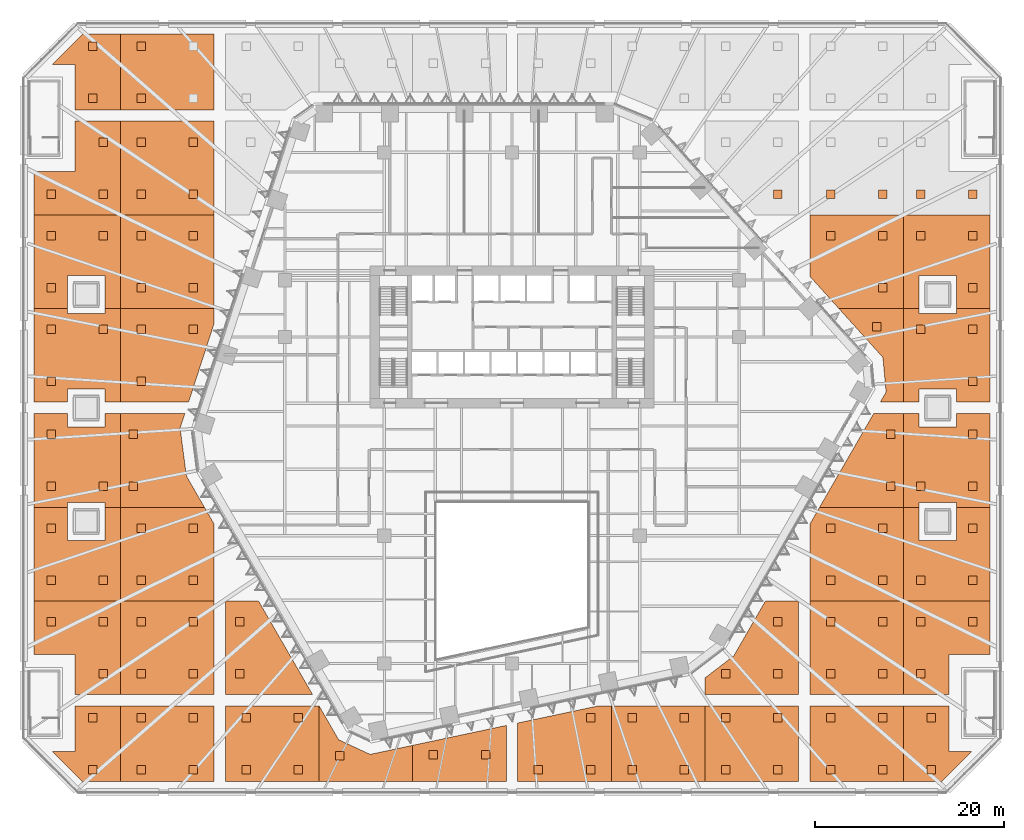
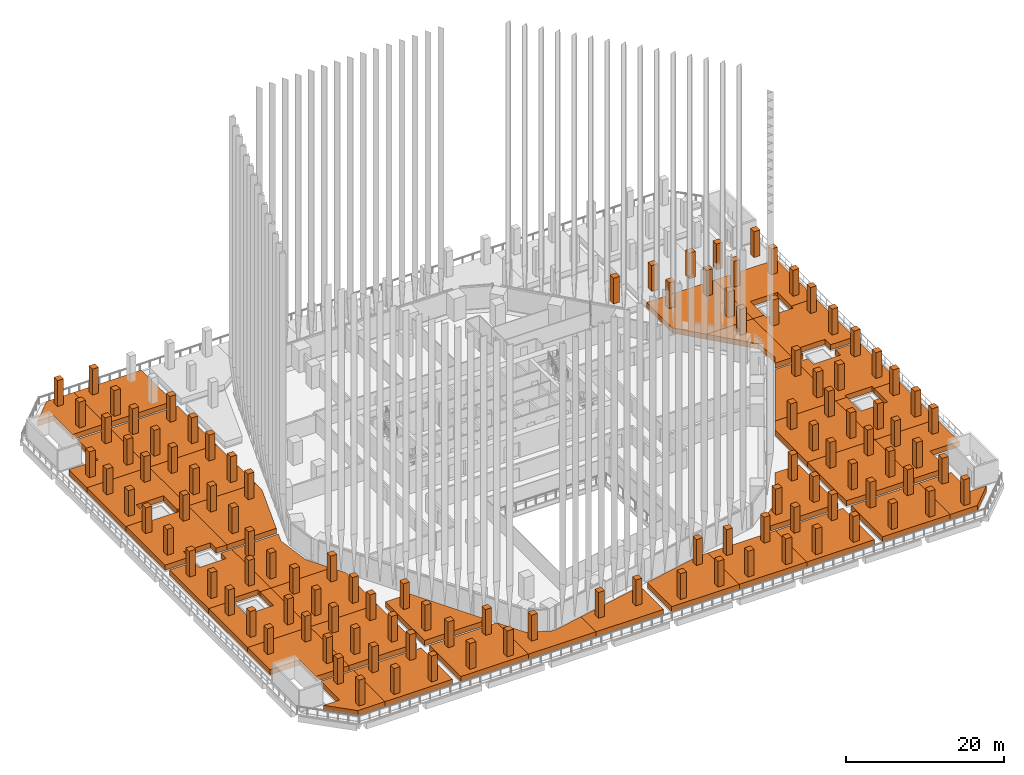
# One storey, part 50 of 51: 112 geographic elements, 36 proxies.
"""IFC4 building model written with IfcOpenShell, lengths in metres."""

from ifc_helpers import new_model, si_unit, direction, frame, origin, origin_2d, place, context, subcontext, project, spatial, polyline, rectangle, outline, extrude, material, type_object, element, save


model = new_model("IFC4")

# Units and contexts
model_context = context("Model", 3, precision=1e-05, world=origin(), true_north=direction((0.0, 1.0)))
body_context = subcontext(model_context, "Body", "Model", "MODEL_VIEW")
ifc_project = project(units=[si_unit("LENGTHUNIT", "METRE"), si_unit("AREAUNIT", "SQUARE_METRE"), si_unit("VOLUMEUNIT", "CUBIC_METRE"), si_unit("PLANEANGLEUNIT", "RADIAN"), si_unit("MASSUNIT", "GRAM", prefix="KILO")], contexts=[model_context])

# Site, building, storey
site_placement = place(None, origin())
site = spatial("IfcSite", under=ifc_project, at=site_placement, CompositionType="ELEMENT")
building_placement = place(site_placement, origin())
building = spatial("IfcBuilding", under=site, at=building_placement, Name="Isthmus Gate Tower", CompositionType="ELEMENT")
storey_placement = place(building_placement, frame((0.0, 0.0, 36.0)))
storey = spatial("IfcBuildingStorey", under=building, at=storey_placement, Name="L06", CompositionType="ELEMENT", Elevation=36.0)

# Geographic elements
ifc_material_1 = material(Name="Plant material, broadleaf tree")
geographic_element_type = type_object("IfcGeographicElementType", Name="BROADLEAF TREE 4000 HIGH", PredefinedType="USERDEFINED", material=ifc_material_1)
for number, where, z_axis, x_axis, name in (
    (1, (-48.699951171875, -18.199951171875, 1.050048828125), (0.0, 0.0, 1.0), (1.0, 0.0, 0.0), "TREE"),
    (2, (-48.699951171875, -12.699951171875, 1.050048828125), (0.0, 0.0, 1.0), (1.0, 0.0, 0.0), "TREE"),
    (3, (-43.199951171875, -18.199951171875, 1.050048828125), (0.0, 0.0, 1.0), (1.0, 0.0, 0.0), "TREE"),
    (4, (-48.699951171875, 12.699951171875, 1.050048828125), (0.0, 0.0, 1.0), (1.0, 0.0, 0.0), "TREE"),
    (5, (-48.699951171875, 18.199951171875, 1.050048828125), (0.0, 0.0, 1.0), (1.0, 0.0, 0.0), "TREE"),
    (6, (-43.199951171875, 18.199951171875, 1.050048828125), (0.0, 0.0, 1.0), (1.0, 0.0, 0.0), "TREE"),
    (7, (-48.699951171875, -8.300048828125, 1.050048828125), (0.0, 0.0, 1.0), (1.0, 0.0, 0.0), "TREE"),
    (8, (-48.699951171875, -2.800048828125, 1.050048828125), (0.0, 0.0, 1.0), (1.0, 0.0, 0.0), "TREE"),
    (9, (-43.199951171875, -8.300048828125, 1.050048828125), (0.0, 0.0, 1.0), (1.0, 0.0, 0.0), "TREE"),
    (10, (-48.699951171875, 2.800048828125, 1.050048828125), (0.0, 0.0, 1.0), (1.0, 0.0, 0.0), "TREE"),
    (11, (-48.699951171875, 8.300048828125, 1.050048828125), (0.0, 0.0, 1.0), (1.0, 0.0, 0.0), "TREE"),
    (12, (-43.199951171875, 8.300048828125, 1.050048828125), (0.0, 0.0, 1.0), (1.0, 0.0, 0.0), "TREE"),
    (13, (-48.699951171875, -22.60009765625, 1.050048828125), (0.0, 0.0, 1.0), (1.0, 0.0, 0.0), "TREE"),
    (14, (-43.199951171875, -28.10009765625, 1.050048828125), (0.0, 0.0, 1.0), (1.0, 0.0, 0.0), "TREE"),
    (15, (-43.199951171875, -22.60009765625, 1.050048828125), (0.0, 0.0, 1.0), (1.0, 0.0, 0.0), "TREE"),
    (16, (-48.699951171875, 22.60009765625, 1.050048828125), (0.0, 0.0, 1.0), (1.0, 0.0, 0.0), "TREE"),
    (17, (-43.199951171875, 22.60009765625, 1.050048828125), (0.0, 0.0, 1.0), (1.0, 0.0, 0.0), "TREE"),
    (18, (-43.199951171875, 28.10009765625, 1.050048828125), (0.0, 0.0, 1.0), (1.0, 0.0, 0.0), "TREE"),
    (19, (-44.317626953125, -38.25, 1.050048828125), (0.0, 0.0, 1.0), (1.0, 0.0, 0.0), "TREE"),
    (20, (-44.317626953125, -32.75, 1.050048828125), (0.0, 0.0, 1.0), (1.0, 0.0, 0.0), "TREE"),
    (21, (-44.317626953125, 32.75, 1.050048828125), (0.0, 0.0, 1.0), (1.0, 0.0, 0.0), "TREE"),
    (22, (-44.317626953125, 38.25, 1.050048828125), (0.0, 0.0, 1.0), (1.0, 0.0, 0.0), "TREE"),
    (23, (-40.050048828125, -8.300048828125, 1.050048828125), (0.0, 0.0, 1.0), (1.0, 0.0, 0.0), "TREE"),
    (24, (-40.050048828125, -2.800048828125, 1.050048828125), (0.0, 0.0, 1.0), (1.0, 0.0, 0.0), "TREE"),
    (25, (-39.199951171875, 2.800048828125, 1.050048828125), (0.0, 0.0, 1.0), (1.0, 0.0, 0.0), "TREE"),
    (26, (-39.199951171875, 8.300048828125, 1.050048828125), (0.0, 0.0, 1.0), (1.0, 0.0, 0.0), "TREE"),
    (27, (-33.699951171875, 8.300048828125, 1.050048828125), (0.0, 0.0, 1.0), (1.0, 0.0, 0.0), "TREE"),
    (28, (-39.199951171875, -18.199951171875, 1.050048828125), (0.0, 0.0, 1.0), (1.0, 0.0, 0.0), "TREE"),
    (29, (-39.199951171875, -12.699951171875, 1.050048828125), (0.0, 0.0, 1.0), (1.0, 0.0, 0.0), "TREE"),
    (30, (-33.699951171875, -18.199951171875, 1.050048828125), (0.0, 0.0, 1.0), (1.0, 0.0, 0.0), "TREE"),
    (31, (-33.699951171875, -12.699951171875, 1.050048828125), (0.0, 0.0, 1.0), (1.0, 0.0, 0.0), "TREE"),
    (32, (-39.199951171875, -38.25, 1.050048828125), (0.0, 0.0, 1.0), (1.0, 0.0, 0.0), "TREE"),
    (33, (-39.199951171875, -32.75, 1.050048828125), (0.0, 0.0, 1.0), (1.0, 0.0, 0.0), "TREE"),
    (34, (-33.699951171875, -38.25, 1.050048828125), (0.0, 0.0, 1.0), (1.0, 0.0, 0.0), "TREE"),
    (35, (-33.699951171875, -32.75, 1.050048828125), (0.0, 0.0, 1.0), (1.0, 0.0, 0.0), "TREE"),
    (36, (-39.199951171875, -28.10009765625, 1.050048828125), (0.0, 0.0, 1.0), (1.0, 0.0, 0.0), "TREE"),
    (37, (-39.199951171875, -22.60009765625, 1.050048828125), (0.0, 0.0, 1.0), (1.0, 0.0, 0.0), "TREE"),
    (38, (-33.699951171875, -28.10009765625, 1.050048828125), (0.0, 0.0, 1.0), (1.0, 0.0, 0.0), "TREE"),
    (39, (-33.699951171875, -22.60009765625, 1.050048828125), (0.0, 0.0, 1.0), (1.0, 0.0, 0.0), "TREE"),
    (40, (-39.199951171875, 12.699951171875, 1.050048828125), (0.0, 0.0, 1.0), (1.0, 0.0, 0.0), "TREE"),
    (41, (-39.199951171875, 18.199951171875, 1.050048828125), (0.0, 0.0, 1.0), (1.0, 0.0, 0.0), "TREE"),
    (42, (-33.699951171875, 12.699951171875, 1.050048828125), (0.0, 0.0, 1.0), (1.0, 0.0, 0.0), "TREE"),
    (43, (-33.699951171875, 18.199951171875, 1.050048828125), (0.0, 0.0, 1.0), (1.0, 0.0, 0.0), "TREE"),
    (44, (-39.199951171875, 22.60009765625, 1.050048828125), (0.0, 0.0, 1.0), (1.0, 0.0, 0.0), "TREE"),
    (45, (-39.199951171875, 28.10009765625, 1.050048828125), (0.0, 0.0, 1.0), (1.0, 0.0, 0.0), "TREE"),
    (46, (-33.699951171875, 22.60009765625, 1.050048828125), (0.0, 0.0, 1.0), (1.0, 0.0, 0.0), "TREE"),
    (47, (-33.699951171875, 28.10009765625, 1.050048828125), (0.0, 0.0, 1.0), (1.0, 0.0, 0.0), "TREE"),
    (48, (-39.199951171875, 32.75, 1.050048828125), (0.0, 0.0, 1.0), (1.0, 0.0, 0.0), "TREE"),
    (49, (-39.199951171875, 38.25, 1.050048828125), (0.0, 0.0, 1.0), (1.0, 0.0, 0.0), "TREE"),
    (50, (-28.784423828125, -28.10009765625, 1.050048828125), (0.0, 0.0, 1.0), (1.0, 0.0, 0.0), "TREE"),
    (51, (-28.784423828125, -22.60009765625, 1.050048828125), (0.0, 0.0, 1.0), (1.0, 0.0, 0.0), "TREE"),
    (52, (-28.10009765625, -38.25, 1.050048828125), (0.0, 0.0, 1.0), (1.0, 0.0, 0.0), "TREE"),
    (53, (-28.10009765625, -32.75, 1.050048828125), (0.0, 0.0, 1.0), (1.0, 0.0, 0.0), "TREE"),
    (54, (-22.60009765625, -38.25, 1.050048828125), (0.0, 0.0, 1.0), (1.0, 0.0, 0.0), "TREE"),
    (55, (-22.60009765625, -32.75, 1.050048828125), (0.0, 0.0, 1.0), (1.0, 0.0, 0.0), "TREE"),
    (56, (-18.199951171875, -36.78076171875, 1.050048828125), (0.0, 0.0, 1.0), (1.0, 0.0, 0.0), "TREE"),
    (57, (-8.300048828125, -36.640869140625, 1.050048828125), (0.0, 0.0, 1.0), (1.0, 0.0, 0.0), "TREE"),
    (58, (-2.800048828125, -36.640869140625, 1.050048828125), (0.0, 0.0, 1.0), (1.0, 0.0, 0.0), "TREE"),
    (59, (2.800048828125, -38.25, 1.050048828125), (0.0, 0.0, 1.0), (1.0, 0.0, 0.0), "TREE"),
    (60, (8.300048828125, -38.25, 1.050048828125), (0.0, 0.0, 1.0), (1.0, 0.0, 0.0), "TREE"),
    (61, (8.300048828125, -32.75, 1.050048828125), (0.0, 0.0, 1.0), (1.0, 0.0, 0.0), "TREE"),
    (62, (12.699951171875, -38.25, 1.050048828125), (0.0, 0.0, 1.0), (1.0, 0.0, 0.0), "TREE"),
    (63, (12.699951171875, -32.75, 1.050048828125), (0.0, 0.0, 1.0), (1.0, 0.0, 0.0), "TREE"),
    (64, (18.199951171875, -38.25, 1.050048828125), (0.0, 0.0, 1.0), (1.0, 0.0, 0.0), "TREE"),
    (65, (18.199951171875, -32.75, 1.050048828125), (0.0, 0.0, 1.0), (1.0, 0.0, 0.0), "TREE"),
    (66, (22.60009765625, -38.25, 1.050048828125), (0.0, 0.0, 1.0), (1.0, 0.0, 0.0), "TREE"),
    (67, (22.60009765625, -32.75, 1.050048828125), (0.0, 0.0, 1.0), (1.0, 0.0, 0.0), "TREE"),
    (68, (28.10009765625, -38.25, 1.050048828125), (0.0, 0.0, 1.0), (1.0, 0.0, 0.0), "TREE"),
    (69, (28.10009765625, -32.75, 1.050048828125), (0.0, 0.0, 1.0), (1.0, 0.0, 0.0), "TREE"),
    (70, (28.10009765625, 22.60009765625, 1.050048828125), (0.0, 0.0, 1.0), (1.0, 0.0, 0.0), "TREE"),
    (71, (22.60009765625, -28.10009765625, 1.050048828125), (0.0, 0.0, 1.0), (1.0, 0.0, 0.0), "TREE"),
    (72, (28.10009765625, -28.10009765625, 1.050048828125), (0.0, 0.0, 1.0), (1.0, 0.0, 0.0), "TREE"),
    (73, (28.10009765625, -22.60009765625, 1.050048828125), (0.0, 0.0, 1.0), (1.0, 0.0, 0.0), "TREE"),
    (74, (33.699951171875, -38.25, 1.050048828125), (0.0, 0.0, 1.0), (1.0, 0.0, 0.0), "TREE"),
    (75, (33.699951171875, -32.75, 1.050048828125), (0.0, 0.0, 1.0), (1.0, 0.0, 0.0), "TREE"),
    (76, (39.199951171875, -38.25, 1.050048828125), (0.0, 0.0, 1.0), (1.0, 0.0, 0.0), "TREE"),
    (77, (39.199951171875, -32.75, 1.050048828125), (0.0, 0.0, 1.0), (1.0, 0.0, 0.0), "TREE"),
    (78, (33.699951171875, -28.10009765625, 1.050048828125), (0.0, 0.0, 1.0), (1.0, 0.0, 0.0), "TREE"),
    (79, (33.699951171875, -22.60009765625, 1.050048828125), (0.0, 0.0, 1.0), (1.0, 0.0, 0.0), "TREE"),
    (80, (39.199951171875, -28.10009765625, 1.050048828125), (0.0, 0.0, 1.0), (1.0, 0.0, 0.0), "TREE"),
    (81, (39.199951171875, -22.60009765625, 1.050048828125), (0.0, 0.0, 1.0), (1.0, 0.0, 0.0), "TREE"),
    (82, (33.699951171875, 22.60009765625, 1.050048828125), (0.0, 0.0, 1.0), (1.0, 0.0, 0.0), "TREE"),
    (83, (39.199951171875, 22.60009765625, 1.050048828125), (0.0, 0.0, 1.0), (1.0, 0.0, 0.0), "TREE"),
    (84, (33.699951171875, -18.199951171875, 1.050048828125), (0.0, 0.0, 1.0), (1.0, 0.0, 0.0), "TREE"),
    (85, (33.699951171875, -12.699951171875, 1.050048828125), (0.0, 0.0, 1.0), (1.0, 0.0, 0.0), "TREE"),
    (86, (39.199951171875, -18.199951171875, 1.050048828125), (0.0, 0.0, 1.0), (1.0, 0.0, 0.0), "TREE"),
    (87, (39.199951171875, -12.699951171875, 1.050048828125), (0.0, 0.0, 1.0), (1.0, 0.0, 0.0), "TREE"),
    (88, (33.699951171875, 18.199951171875, 1.050048828125), (0.0, 0.0, 1.0), (1.0, 0.0, 0.0), "TREE"),
    (89, (39.199951171875, 12.699951171875, 1.050048828125), (0.0, 0.0, 1.0), (1.0, 0.0, 0.0), "TREE"),
    (90, (39.199951171875, 18.199951171875, 1.050048828125), (0.0, 0.0, 1.0), (1.0, 0.0, 0.0), "TREE"),
    (91, (40.050048828125, -8.300048828125, 1.050048828125), (0.0, 0.0, 1.0), (1.0, 0.0, 0.0), "TREE"),
    (92, (40.050048828125, -2.800048828125, 1.050048828125), (0.0, 0.0, 1.0), (1.0, 0.0, 0.0), "TREE"),
    (93, (38.56640625, 8.5791015625, 1.050048828125), (0.0, 0.0, 1.0), (1.0, 0.0, 0.0), "TREE"),
    (94, (44.317626953125, -38.25, 1.050048828125), (0.0, 0.0, 1.0), (1.0, 0.0, 0.0), "TREE"),
    (95, (44.317626953125, -32.75, 1.050048828125), (0.0, 0.0, 1.0), (1.0, 0.0, 0.0), "TREE"),
    (96, (43.199951171875, 22.60009765625, 1.050048828125), (0.0, 0.0, 1.0), (1.0, 0.0, 0.0), "TREE"),
    (97, (48.699951171875, 22.60009765625, 1.050048828125), (0.0, 0.0, 1.0), (1.0, 0.0, 0.0), "TREE"),
    (98, (43.199951171875, -28.10009765625, 1.050048828125), (0.0, 0.0, 1.0), (1.0, 0.0, 0.0), "TREE"),
    (99, (43.199951171875, -22.60009765625, 1.050048828125), (0.0, 0.0, 1.0), (1.0, 0.0, 0.0), "TREE"),
    (100, (48.699951171875, -22.60009765625, 1.050048828125), (0.0, 0.0, 1.0), (1.0, 0.0, 0.0), "TREE"),
    (101, (43.199951171875, -8.300048828125, 1.050048828125), (0.0, 0.0, 1.0), (1.0, 0.0, 0.0), "TREE"),
    (102, (48.699951171875, -8.300048828125, 1.050048828125), (0.0, 0.0, 1.0), (1.0, 0.0, 0.0), "TREE"),
    (103, (48.699951171875, -2.800048828125, 1.050048828125), (0.0, 0.0, 1.0), (1.0, 0.0, 0.0), "TREE"),
    (104, (43.199951171875, 8.300048828125, 1.050048828125), (0.0, 0.0, 1.0), (1.0, 0.0, 0.0), "TREE"),
    (105, (48.699951171875, 2.800048828125, 1.050048828125), (0.0, 0.0, 1.0), (1.0, 0.0, 0.0), "TREE"),
    (106, (48.699951171875, 8.300048828125, 1.050048828125), (0.0, 0.0, 1.0), (1.0, 0.0, 0.0), "TREE"),
    (107, (43.199951171875, -18.199951171875, 1.050048828125), (0.0, 0.0, 1.0), (1.0, 0.0, 0.0), "TREE"),
    (108, (48.699951171875, -18.199951171875, 1.050048828125), (0.0, 0.0, 1.0), (1.0, 0.0, 0.0), "TREE"),
    (109, (48.699951171875, -12.699951171875, 1.050048828125), (0.0, 0.0, 1.0), (1.0, 0.0, 0.0), "TREE"),
    (110, (43.199951171875, 18.199951171875, 1.050048828125), (0.0, 0.0, 1.0), (1.0, 0.0, 0.0), "TREE"),
    (111, (48.699951171875, 12.699951171875, 1.050048828125), (0.0, 0.0, 1.0), (1.0, 0.0, 0.0), "TREE"),
    (112, (48.699951171875, 18.199951171875, 1.050048828125), (0.0, 0.0, 1.0), (1.0, 0.0, 0.0), "TREE"),
):
    element("IfcGeographicElement", number, at=place(storey_placement, frame(where, z_axis=z_axis, x_axis=x_axis)), inside=storey, type_object=geographic_element_type, Name=name, ObjectType="TREE", PredefinedType="USERDEFINED", context=body_context, shape_type="SweptSolid", body=[
        extrude(rectangle(XDim=0.89990234375, YDim=0.89990234375, at=origin_2d()), origin(), (0.0, 0.0, 1.0), 4.0),
    ])

# Proxies
ifc_material_2 = material(Name="Concrete f'c 40 MPa", Category="concrete")
building_element_proxy_type = type_object("IfcBuildingElementProxyType", Name="STRUCTURAL CONCRETE PLANTER 800 DEEP", PredefinedType="USERDEFINED", material=ifc_material_2)
proxy_1_placement = place(storey_placement, frame((0.0, 0.0, 0.25)))
element("IfcBuildingElementProxy", 113, at=proxy_1_placement, inside=storey, type_object=building_element_proxy_type, Name="PLANTER", ObjectType="PLANTER", PredefinedType="USERDEFINED", context=body_context, shape_type="SweptSolid", body=[
    extrude(outline(polyline([(-41.39990234375, -10.5), (-43.0, -10.5), (-43.0, -14.0), (-47.0, -14.0), (-47.0, -10.5), (-50.5, -10.5), (-50.5, -20.39990234375), (-41.39990234375, -20.39990234375), (-41.39990234375, -10.5)])), origin(), (0.0, 0.0, 1.0), 0.800048828125),
])
proxy_2_placement = place(storey_placement, frame((0.0, 0.0, 0.25)))
element("IfcBuildingElementProxy", 114, at=proxy_2_placement, inside=storey, type_object=building_element_proxy_type, Name="PLANTER", ObjectType="PLANTER", PredefinedType="USERDEFINED", context=body_context, shape_type="SweptSolid", body=[
    extrude(outline(polyline([(-41.39990234375, 20.39990234375), (-50.5, 20.39990234375), (-50.5, 10.5), (-47.0, 10.5), (-47.0, 14.0), (-43.0, 14.0), (-43.0, 10.5), (-41.39990234375, 10.5), (-41.39990234375, 20.39990234375)])), origin(), (0.0, 0.0, 1.0), 0.800048828125),
])
proxy_3_placement = place(storey_placement, frame((0.0, 0.0, 0.25)))
element("IfcBuildingElementProxy", 115, at=proxy_3_placement, inside=storey, type_object=building_element_proxy_type, Name="PLANTER", ObjectType="PLANTER", PredefinedType="USERDEFINED", context=body_context, shape_type="SweptSolid", body=[
    extrude(outline(polyline([(-41.39990234375, -0.60009765625), (-43.0, -0.60009765625), (-43.0, -2.0), (-47.0, -2.0), (-47.0, -0.60009765625), (-50.5, -0.60009765625), (-50.5, -10.5), (-47.0, -10.5), (-47.0, -10.0), (-43.0, -10.0), (-43.0, -10.5), (-41.39990234375, -10.5), (-41.39990234375, -0.60009765625)])), origin(), (0.0, 0.0, 1.0), 0.800048828125),
])
proxy_4_placement = place(storey_placement, frame((0.0, 0.0, 0.25)))
element("IfcBuildingElementProxy", 116, at=proxy_4_placement, inside=storey, type_object=building_element_proxy_type, Name="PLANTER", ObjectType="PLANTER", PredefinedType="USERDEFINED", context=body_context, shape_type="SweptSolid", body=[
    extrude(outline(polyline([(-41.39990234375, 10.5), (-43.0, 10.5), (-43.0, 10.0), (-47.0, 10.0), (-47.0, 10.5), (-50.5, 10.5), (-50.5, 0.60009765625), (-47.0, 0.60009765625), (-47.0, 2.0), (-43.0, 2.0), (-43.0, 0.60009765625), (-41.39990234375, 0.60009765625), (-41.39990234375, 10.5)])), origin(), (0.0, 0.0, 1.0), 0.800048828125),
])
proxy_5_placement = place(storey_placement, frame((0.0, 0.0, 0.25)))
element("IfcBuildingElementProxy", 117, at=proxy_5_placement, inside=storey, type_object=building_element_proxy_type, Name="PLANTER", ObjectType="PLANTER", PredefinedType="USERDEFINED", context=body_context, shape_type="SweptSolid", body=[
    extrude(outline(polyline([(-41.39990234375, -20.39990234375), (-50.5, -20.39990234375), (-50.5, -26.078857421875), (-46.175048828125, -26.078857421875), (-46.175048828125, -30.300048828125), (-41.39990234375, -30.300048828125), (-41.39990234375, -20.39990234375)])), origin(), (0.0, 0.0, 1.0), 0.800048828125),
])
proxy_6_placement = place(storey_placement, frame((0.0, 0.0, 0.25)))
element("IfcBuildingElementProxy", 118, at=proxy_6_placement, inside=storey, type_object=building_element_proxy_type, Name="PLANTER", ObjectType="PLANTER", PredefinedType="USERDEFINED", context=body_context, shape_type="SweptSolid", body=[
    extrude(outline(polyline([(-41.39990234375, 30.300048828125), (-46.175048828125, 30.300048828125), (-46.175048828125, 25.0), (-50.5, 25.0), (-50.5, 20.39990234375), (-41.39990234375, 20.39990234375), (-41.39990234375, 30.300048828125)])), origin(), (0.0, 0.0, 1.0), 0.800048828125),
])
proxy_7_placement = place(storey_placement, frame((0.0, 0.0, 0.25)))
element("IfcBuildingElementProxy", 119, at=proxy_7_placement, inside=storey, type_object=building_element_proxy_type, Name="PLANTER", ObjectType="PLANTER", PredefinedType="USERDEFINED", context=body_context, shape_type="SweptSolid", body=[
    extrude(outline(polyline([(-41.39990234375, -31.5), (-46.175048828125, -31.5), (-46.175048828125, -36.300048828125), (-48.57861328125, -36.300048828125), (-45.378662109375, -39.5), (-41.39990234375, -39.5), (-41.39990234375, -31.5)])), origin(), (0.0, 0.0, 1.0), 0.800048828125),
])
proxy_8_placement = place(storey_placement, frame((0.0, 0.0, 0.25)))
element("IfcBuildingElementProxy", 120, at=proxy_8_placement, inside=storey, type_object=building_element_proxy_type, Name="PLANTER", ObjectType="PLANTER", PredefinedType="USERDEFINED", context=body_context, shape_type="SweptSolid", body=[
    extrude(outline(polyline([(-41.39990234375, 31.5), (-41.39990234375, 39.5), (-45.378662109375, 39.5), (-48.57861328125, 36.300048828125), (-46.175048828125, 36.300048828125), (-46.175048828125, 31.5), (-41.39990234375, 31.5)])), origin(), (0.0, 0.0, 1.0), 0.800048828125),
])
proxy_9_placement = place(storey_placement, frame((0.0, 0.0, 0.25)))
element("IfcBuildingElementProxy", 121, at=proxy_9_placement, inside=storey, type_object=building_element_proxy_type, Name="PLANTER", ObjectType="PLANTER", PredefinedType="USERDEFINED", context=body_context, shape_type="SweptSolid", body=[
    extrude(outline(polyline([(-41.39990234375, -10.5), (-32.5048828125, -10.5), (-34.416015625, -7.18994140625), (-35.0751953125, -2.128662109375), (-34.57861328125, -0.60009765625), (-41.39990234375, -0.60009765625), (-41.39990234375, -10.5)])), origin(), (0.0, 0.0, 1.0), 0.800048828125),
])
proxy_10_placement = place(storey_placement, frame((0.0, 0.0, 0.25)))
element("IfcBuildingElementProxy", 122, at=proxy_10_placement, inside=storey, type_object=building_element_proxy_type, Name="PLANTER", ObjectType="PLANTER", PredefinedType="USERDEFINED", context=body_context, shape_type="SweptSolid", body=[
    extrude(outline(polyline([(-41.39990234375, 0.60009765625), (-34.188720703125, 0.60009765625), (-31.5, 8.874755859375), (-31.5, 10.5), (-41.39990234375, 10.5), (-41.39990234375, 0.60009765625)])), origin(), (0.0, 0.0, 1.0), 0.800048828125),
])
proxy_11_placement = place(storey_placement, frame((0.0, 0.0, 0.25)))
element("IfcBuildingElementProxy", 123, at=proxy_11_placement, inside=storey, type_object=building_element_proxy_type, Name="PLANTER", ObjectType="PLANTER", PredefinedType="USERDEFINED", context=body_context, shape_type="SweptSolid", body=[
    extrude(outline(polyline([(-31.5, -20.39990234375), (-31.5, -12.240478515625), (-32.5048828125, -10.5), (-41.39990234375, -10.5), (-41.39990234375, -20.39990234375), (-31.5, -20.39990234375)])), origin(), (0.0, 0.0, 1.0), 0.800048828125),
])
proxy_12_placement = place(storey_placement, frame((0.0, 0.0, 0.25)))
element("IfcBuildingElementProxy", 124, at=proxy_12_placement, inside=storey, type_object=building_element_proxy_type, Name="PLANTER", ObjectType="PLANTER", PredefinedType="USERDEFINED", context=body_context, shape_type="SweptSolid", body=[
    extrude(outline(polyline([(-41.39990234375, -31.5), (-41.39990234375, -39.5), (-31.5, -39.5), (-31.5, -31.5), (-41.39990234375, -31.5)])), origin(), (0.0, 0.0, 1.0), 0.800048828125),
])
proxy_13_placement = place(storey_placement, frame((0.0, 0.0, 0.25)))
element("IfcBuildingElementProxy", 125, at=proxy_13_placement, inside=storey, type_object=building_element_proxy_type, Name="PLANTER", ObjectType="PLANTER", PredefinedType="USERDEFINED", context=body_context, shape_type="SweptSolid", body=[
    extrude(outline(polyline([(-41.39990234375, -30.300048828125), (-31.5, -30.300048828125), (-31.5, -20.39990234375), (-41.39990234375, -20.39990234375), (-41.39990234375, -30.300048828125)])), origin(), (0.0, 0.0, 1.0), 0.800048828125),
])
proxy_14_placement = place(storey_placement, frame((0.0, 0.0, 0.25)))
element("IfcBuildingElementProxy", 126, at=proxy_14_placement, inside=storey, type_object=building_element_proxy_type, Name="PLANTER", ObjectType="PLANTER", PredefinedType="USERDEFINED", context=body_context, shape_type="SweptSolid", body=[
    extrude(outline(polyline([(-41.39990234375, 10.5), (-31.5, 10.5), (-31.5, 20.39990234375), (-41.39990234375, 20.39990234375), (-41.39990234375, 10.5)])), origin(), (0.0, 0.0, 1.0), 0.800048828125),
])
proxy_15_placement = place(storey_placement, frame((0.0, 0.0, 0.25)))
element("IfcBuildingElementProxy", 127, at=proxy_15_placement, inside=storey, type_object=building_element_proxy_type, Name="PLANTER", ObjectType="PLANTER", PredefinedType="USERDEFINED", context=body_context, shape_type="SweptSolid", body=[
    extrude(outline(polyline([(-41.39990234375, 20.39990234375), (-31.5, 20.39990234375), (-31.5, 30.300048828125), (-41.39990234375, 30.300048828125), (-41.39990234375, 20.39990234375)])), origin(), (0.0, 0.0, 1.0), 0.800048828125),
])
proxy_16_placement = place(storey_placement, frame((0.0, 0.0, 0.25)))
element("IfcBuildingElementProxy", 128, at=proxy_16_placement, inside=storey, type_object=building_element_proxy_type, Name="PLANTER", ObjectType="PLANTER", PredefinedType="USERDEFINED", context=body_context, shape_type="SweptSolid", body=[
    extrude(outline(polyline([(-31.5, 31.5), (-31.5, 39.5), (-41.39990234375, 39.5), (-41.39990234375, 31.5), (-31.5, 31.5)])), origin(), (0.0, 0.0, 1.0), 0.800048828125),
])
proxy_17_placement = place(storey_placement, frame((0.0, 0.0, 0.25)))
element("IfcBuildingElementProxy", 129, at=proxy_17_placement, inside=storey, type_object=building_element_proxy_type, Name="PLANTER", ObjectType="PLANTER", PredefinedType="USERDEFINED", context=body_context, shape_type="SweptSolid", body=[
    extrude(outline(polyline([(-30.300048828125, -30.300048828125), (-21.0732421875, -30.300048828125), (-26.7890625, -20.39990234375), (-30.300048828125, -20.39990234375), (-30.300048828125, -30.300048828125)])), origin(), (0.0, 0.0, 1.0), 0.800048828125),
])
proxy_18_placement = place(storey_placement, frame((0.0, 0.0, 0.25)))
element("IfcBuildingElementProxy", 130, at=proxy_18_placement, inside=storey, type_object=building_element_proxy_type, Name="PLANTER", ObjectType="PLANTER", PredefinedType="USERDEFINED", context=body_context, shape_type="SweptSolid", body=[
    extrude(outline(polyline([(-30.300048828125, -31.5), (-30.300048828125, -39.5), (-20.39990234375, -39.5), (-20.39990234375, -31.5), (-30.300048828125, -31.5)])), origin(), (0.0, 0.0, 1.0), 0.800048828125),
])
proxy_19_placement = place(storey_placement, frame((0.0, 0.0, 0.25)))
element("IfcBuildingElementProxy", 131, at=proxy_19_placement, inside=storey, type_object=building_element_proxy_type, Name="PLANTER", ObjectType="PLANTER", PredefinedType="USERDEFINED", context=body_context, shape_type="SweptSolid", body=[
    extrude(outline(polyline([(-10.5, -39.5), (-10.5, -35.6630859375), (-14.990966796875, -36.61767578125), (-18.315673828125, -35.076416015625), (-20.38037109375, -31.5), (-20.39990234375, -31.5), (-20.39990234375, -39.5), (-10.5, -39.5)])), origin(), (0.0, 0.0, 1.0), 0.800048828125),
])
proxy_20_placement = place(storey_placement, frame((0.0, 0.0, 0.25)))
element("IfcBuildingElementProxy", 132, at=proxy_20_placement, inside=storey, type_object=building_element_proxy_type, Name="PLANTER", ObjectType="PLANTER", PredefinedType="USERDEFINED", context=body_context, shape_type="SweptSolid", body=[
    extrude(outline(polyline([(-0.60009765625, -39.5), (-0.60009765625, -33.558837890625), (-10.5, -35.6630859375), (-10.5, -39.5), (-0.60009765625, -39.5)])), origin(), (0.0, 0.0, 1.0), 0.800048828125),
])
proxy_21_placement = place(storey_placement, frame((0.0, 0.0, 0.25)))
element("IfcBuildingElementProxy", 133, at=proxy_21_placement, inside=storey, type_object=building_element_proxy_type, Name="PLANTER", ObjectType="PLANTER", PredefinedType="USERDEFINED", context=body_context, shape_type="SweptSolid", body=[
    extrude(outline(polyline([(10.5, -31.5), (9.0859375, -31.5), (0.60009765625, -33.3037109375), (0.60009765625, -39.5), (10.5, -39.5), (10.5, -31.5)])), origin(), (0.0, 0.0, 1.0), 0.800048828125),
])
proxy_22_placement = place(storey_placement, frame((0.0, 0.0, 0.25)))
element("IfcBuildingElementProxy", 134, at=proxy_22_placement, inside=storey, type_object=building_element_proxy_type, Name="PLANTER", ObjectType="PLANTER", PredefinedType="USERDEFINED", context=body_context, shape_type="SweptSolid", body=[
    extrude(outline(polyline([(10.5, -31.5), (10.5, -39.5), (20.39990234375, -39.5), (20.39990234375, -31.5), (10.5, -31.5)])), origin(), (0.0, 0.0, 1.0), 0.800048828125),
])
proxy_23_placement = place(storey_placement, frame((0.0, 0.0, 0.25)))
element("IfcBuildingElementProxy", 135, at=proxy_23_placement, inside=storey, type_object=building_element_proxy_type, Name="PLANTER", ObjectType="PLANTER", PredefinedType="USERDEFINED", context=body_context, shape_type="SweptSolid", body=[
    extrude(outline(polyline([(20.39990234375, -31.5), (20.39990234375, -39.5), (30.300048828125, -39.5), (30.300048828125, -31.5), (20.39990234375, -31.5)])), origin(), (0.0, 0.0, 1.0), 0.800048828125),
])
proxy_24_placement = place(storey_placement, frame((0.0, 0.0, 0.25)))
element("IfcBuildingElementProxy", 136, at=proxy_24_placement, inside=storey, type_object=building_element_proxy_type, Name="PLANTER", ObjectType="PLANTER", PredefinedType="USERDEFINED", context=body_context, shape_type="SweptSolid", body=[
    extrude(outline(polyline([(30.300048828125, -20.39990234375), (26.7890625, -20.39990234375), (23.4345703125, -26.210205078125), (20.39990234375, -28.531982421875), (20.39990234375, -30.300048828125), (30.300048828125, -30.300048828125), (30.300048828125, -20.39990234375)])), origin(), (0.0, 0.0, 1.0), 0.800048828125),
])
proxy_25_placement = place(storey_placement, frame((0.0, 0.0, 0.25)))
element("IfcBuildingElementProxy", 137, at=proxy_25_placement, inside=storey, type_object=building_element_proxy_type, Name="PLANTER", ObjectType="PLANTER", PredefinedType="USERDEFINED", context=body_context, shape_type="SweptSolid", body=[
    extrude(outline(polyline([(31.5, -31.5), (31.5, -39.5), (41.39990234375, -39.5), (41.39990234375, -31.5), (31.5, -31.5)])), origin(), (0.0, 0.0, 1.0), 0.800048828125),
])
proxy_26_placement = place(storey_placement, frame((0.0, 0.0, 0.25)))
element("IfcBuildingElementProxy", 138, at=proxy_26_placement, inside=storey, type_object=building_element_proxy_type, Name="PLANTER", ObjectType="PLANTER", PredefinedType="USERDEFINED", context=body_context, shape_type="SweptSolid", body=[
    extrude(outline(polyline([(31.5, -30.300048828125), (41.39990234375, -30.300048828125), (41.39990234375, -20.39990234375), (31.5, -20.39990234375), (31.5, -30.300048828125)])), origin(), (0.0, 0.0, 1.0), 0.800048828125),
])
proxy_27_placement = place(storey_placement, frame((0.0, 0.0, 0.25)))
element("IfcBuildingElementProxy", 139, at=proxy_27_placement, inside=storey, type_object=building_element_proxy_type, Name="PLANTER", ObjectType="PLANTER", PredefinedType="USERDEFINED", context=body_context, shape_type="SweptSolid", body=[
    extrude(outline(polyline([(41.39990234375, -10.5), (32.5048828125, -10.5), (31.5, -12.240478515625), (31.5, -20.39990234375), (41.39990234375, -20.39990234375), (41.39990234375, -10.5)])), origin(), (0.0, 0.0, 1.0), 0.800048828125),
])
proxy_28_placement = place(storey_placement, frame((0.0, 0.0, 0.25)))
element("IfcBuildingElementProxy", 140, at=proxy_28_placement, inside=storey, type_object=building_element_proxy_type, Name="PLANTER", ObjectType="PLANTER", PredefinedType="USERDEFINED", context=body_context, shape_type="SweptSolid", body=[
    extrude(outline(polyline([(31.5, 20.39990234375), (31.5, 13.88623046875), (34.548828125, 10.5), (41.39990234375, 10.5), (41.39990234375, 20.39990234375), (31.5, 20.39990234375)])), origin(), (0.0, 0.0, 1.0), 0.800048828125),
])
proxy_29_placement = place(storey_placement, frame((0.0, 0.0, 0.25)))
element("IfcBuildingElementProxy", 141, at=proxy_29_placement, inside=storey, type_object=building_element_proxy_type, Name="PLANTER", ObjectType="PLANTER", PredefinedType="USERDEFINED", context=body_context, shape_type="SweptSolid", body=[
    extrude(outline(polyline([(41.39990234375, -0.60009765625), (38.220703125, -0.60009765625), (32.5048828125, -10.5), (41.39990234375, -10.5), (41.39990234375, -0.60009765625)])), origin(), (0.0, 0.0, 1.0), 0.800048828125),
])
proxy_30_placement = place(storey_placement, frame((0.0, 0.0, 0.25)))
element("IfcBuildingElementProxy", 142, at=proxy_30_placement, inside=storey, type_object=building_element_proxy_type, Name="PLANTER", ObjectType="PLANTER", PredefinedType="USERDEFINED", context=body_context, shape_type="SweptSolid", body=[
    extrude(outline(polyline([(41.39990234375, 10.5), (34.548828125, 10.5), (39.207275390625, 5.326171875), (39.534912109375, 1.676513671875), (38.913330078125, 0.60009765625), (41.39990234375, 0.60009765625), (41.39990234375, 10.5)])), origin(), (0.0, 0.0, 1.0), 0.800048828125),
])
proxy_31_placement = place(storey_placement, frame((0.0, 0.0, 0.25)))
element("IfcBuildingElementProxy", 143, at=proxy_31_placement, inside=storey, type_object=building_element_proxy_type, Name="PLANTER", ObjectType="PLANTER", PredefinedType="USERDEFINED", context=body_context, shape_type="SweptSolid", body=[
    extrude(outline(polyline([(41.39990234375, -31.5), (41.39990234375, -39.5), (45.378662109375, -39.5), (48.57861328125, -36.300048828125), (46.175048828125, -36.300048828125), (46.175048828125, -31.5), (41.39990234375, -31.5)])), origin(), (0.0, 0.0, 1.0), 0.800048828125),
])
proxy_32_placement = place(storey_placement, frame((0.0, 0.0, 0.25)))
element("IfcBuildingElementProxy", 144, at=proxy_32_placement, inside=storey, type_object=building_element_proxy_type, Name="PLANTER", ObjectType="PLANTER", PredefinedType="USERDEFINED", context=body_context, shape_type="SweptSolid", body=[
    extrude(outline(polyline([(41.39990234375, -30.300048828125), (46.175048828125, -30.300048828125), (46.175048828125, -26.078857421875), (50.5, -26.078857421875), (50.5, -20.39990234375), (41.39990234375, -20.39990234375), (41.39990234375, -30.300048828125)])), origin(), (0.0, 0.0, 1.0), 0.800048828125),
])
proxy_33_placement = place(storey_placement, frame((0.0, 0.0, 0.25)))
element("IfcBuildingElementProxy", 145, at=proxy_33_placement, inside=storey, type_object=building_element_proxy_type, Name="PLANTER", ObjectType="PLANTER", PredefinedType="USERDEFINED", context=body_context, shape_type="SweptSolid", body=[
    extrude(outline(polyline([(50.5, -0.60009765625), (47.0, -0.60009765625), (47.0, -2.0), (43.0, -2.0), (43.0, -0.60009765625), (41.39990234375, -0.60009765625), (41.39990234375, -10.5), (43.0, -10.5), (43.0, -10.0), (47.0, -10.0), (47.0, -10.5), (50.5, -10.5), (50.5, -0.60009765625)])), origin(), (0.0, 0.0, 1.0), 0.800048828125),
])
proxy_34_placement = place(storey_placement, frame((0.0, 0.0, 0.25)))
element("IfcBuildingElementProxy", 146, at=proxy_34_placement, inside=storey, type_object=building_element_proxy_type, Name="PLANTER", ObjectType="PLANTER", PredefinedType="USERDEFINED", context=body_context, shape_type="SweptSolid", body=[
    extrude(outline(polyline([(50.5, 10.5), (47.0, 10.5), (47.0, 10.0), (43.0, 10.0), (43.0, 10.5), (41.39990234375, 10.5), (41.39990234375, 0.60009765625), (43.0, 0.60009765625), (43.0, 2.0), (47.0, 2.0), (47.0, 0.60009765625), (50.5, 0.60009765625), (50.5, 10.5)])), origin(), (0.0, 0.0, 1.0), 0.800048828125),
])
proxy_35_placement = place(storey_placement, frame((0.0, 0.0, 0.25)))
element("IfcBuildingElementProxy", 147, at=proxy_35_placement, inside=storey, type_object=building_element_proxy_type, Name="PLANTER", ObjectType="PLANTER", PredefinedType="USERDEFINED", context=body_context, shape_type="SweptSolid", body=[
    extrude(outline(polyline([(50.5, -10.5), (47.0, -10.5), (47.0, -14.0), (43.0, -14.0), (43.0, -10.5), (41.39990234375, -10.5), (41.39990234375, -20.39990234375), (50.5, -20.39990234375), (50.5, -10.5)])), origin(), (0.0, 0.0, 1.0), 0.800048828125),
])
proxy_36_placement = place(storey_placement, frame((0.0, 0.0, 0.25)))
element("IfcBuildingElementProxy", 148, at=proxy_36_placement, inside=storey, type_object=building_element_proxy_type, Name="PLANTER", ObjectType="PLANTER", PredefinedType="USERDEFINED", context=body_context, shape_type="SweptSolid", body=[
    extrude(outline(polyline([(41.39990234375, 10.5), (43.0, 10.5), (43.0, 14.0), (47.0, 14.0), (47.0, 10.5), (50.5, 10.5), (50.5, 20.39990234375), (41.39990234375, 20.39990234375), (41.39990234375, 10.5)])), origin(), (0.0, 0.0, 1.0), 0.800048828125),
])

save(model, "model.ifc")
